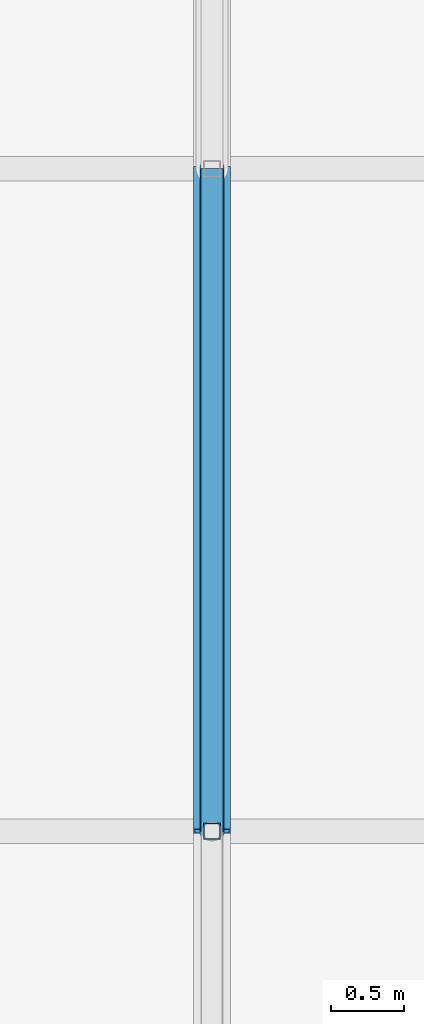
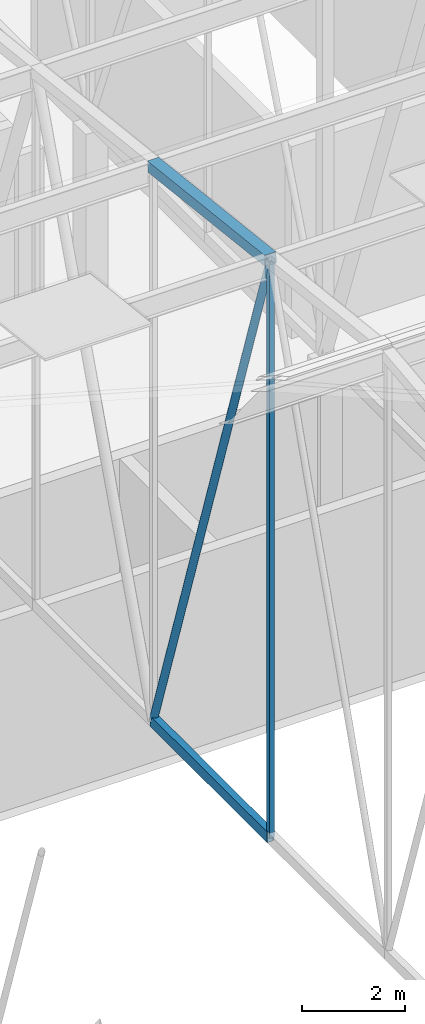
# One storey, part 279 of 500: 4 members.
"""IFC4 building model written with IfcOpenShell, lengths in metres."""

from ifc_helpers import new_model, si_unit, direction, frame, origin, origin_2d, place, context, subcontext, project, spatial, hollow_rectangle, hollow_circle, extrude, material, material_profile, profile_set, type_object, element, save


model = new_model("IFC4")

# Units and contexts
model_context = context("Model", 3, precision=1e-05, world=origin(), true_north=direction((0.0, 1.0)))
body_context = subcontext(model_context, "Body", "Model", "MODEL_VIEW")
ifc_project = project(units=[si_unit("LENGTHUNIT", "METRE"), si_unit("AREAUNIT", "SQUARE_METRE"), si_unit("VOLUMEUNIT", "CUBIC_METRE"), si_unit("PLANEANGLEUNIT", "RADIAN"), si_unit("MASSUNIT", "GRAM", prefix="KILO")], contexts=[model_context])

# Site, building, storey
site_placement = place(None, origin())
site = spatial("IfcSite", under=ifc_project, at=site_placement, CompositionType="ELEMENT")
building_placement = place(site_placement, origin())
building = spatial("IfcBuilding", under=site, at=building_placement, Name="Shirokan Park Arena", CompositionType="ELEMENT")
storey_placement = place(building_placement, frame((0.0, 0.0, 29.1201171875)))
storey = spatial("IfcBuildingStorey", under=building, at=storey_placement, Name="L06", CompositionType="ELEMENT", Elevation=29.1201171875)

# Members
ifc_material = material(Name="Steel ASTM A500 Grade C", Category="steel")
ifc_material_profile_1 = material_profile(ifc_material, hollow_rectangle(XDim=0.152099609375, YDim=0.25390625, WallThickness=0.009521484375, at=origin_2d()), Name="HSS254X152.4X9.5")
ifc_profile_set_1 = profile_set([ifc_material_profile_1], Name="Steel ASTM A500 Grade C")
member_type_1 = type_object("IfcMemberType", Name="Bottom chord HSS254X152.4X9.5", PredefinedType="CHORD", material=ifc_profile_set_1)
member_1_placement = place(storey_placement, frame((118.300048828125, 59.14990234375, 4.677001953125), z_axis=(0.0, 1.0, 0.0), x_axis=(-1.0, 0.0, 0.0)))
element("IfcMember", 1, at=member_1_placement, inside=storey, type_object=member_type_1, Name="Truss T14 bottom chord 16", PredefinedType="CHORD", context=body_context, shape_type="SweptSolid", body=[
    extrude(hollow_rectangle(XDim=0.152099609375, YDim=0.25390625, WallThickness=0.009521484375, at=origin_2d()), origin(), (0.0, 0.0, 1.0), 4.550048828125),
])
ifc_material_profile_2 = material_profile(ifc_material, hollow_rectangle(XDim=0.25390625, YDim=0.25390625, WallThickness=0.009521484375, at=origin_2d()), Name="HSS254X254X9.5")
ifc_profile_set_2 = profile_set([ifc_material_profile_2], Name="Steel ASTM A500 Grade C")
member_type_2 = type_object("IfcMemberType", Name="Top chord HSS254X254X9.5", PredefinedType="CHORD", material=ifc_profile_set_2)
member_2_placement = place(storey_placement, frame((118.300048828125, 59.14990234375, 18.3427734375), z_axis=(0.0, 0.993538341779, -0.113496975353), x_axis=(-1.0, 0.0, 0.0)))
element("IfcMember", 2, at=member_2_placement, inside=storey, type_object=member_type_2, Name="Truss T14 top chord 16", PredefinedType="CHORD", context=body_context, shape_type="SweptSolid", body=[
    extrude(hollow_rectangle(XDim=0.25390625, YDim=0.25390625, WallThickness=0.009521484375, at=origin_2d()), origin(), (0.0, 0.0, 1.0), 4.57958984375),
])
ifc_material_profile_3 = material_profile(ifc_material, hollow_circle(Radius=0.083984375, WallThickness=0.009521484375, at=origin_2d()), Name="HSS168.3X9.5")
ifc_profile_set_3 = profile_set([ifc_material_profile_3], Name="Steel ASTM A500 Grade C")
member_type_3 = type_object("IfcMemberType", Name="Truss diagonal HSS168.3X9.5", PredefinedType="BRACE", material=ifc_profile_set_3)
member_3_placement = place(storey_placement, frame((118.300048828125, 59.14990234375, 18.3427734375), z_axis=(0.0, 0.315902302102, -0.948791723998), x_axis=(-1.0, 0.0, 0.0)))
element("IfcMember", 3, at=member_3_placement, inside=storey, type_object=member_type_3, Name="Truss T14 diagonal 16", PredefinedType="BRACE", context=body_context, shape_type="SweptSolid", body=[
    extrude(hollow_circle(Radius=0.083984375, WallThickness=0.009521484375, at=origin_2d()), origin(), (0.0, 0.0, 1.0), 14.4033203125),
])
ifc_material_profile_4 = material_profile(ifc_material, hollow_rectangle(XDim=0.114013671875, YDim=0.114013671875, WallThickness=0.00634765625, at=origin_2d()), Name="HSS114.3X114.3X6.4")
ifc_profile_set_4 = profile_set([ifc_material_profile_4], Name="Steel ASTM A500 Grade C")
member_type_4 = type_object("IfcMemberType", Name="Truss post HSS114.3X114.3X6.4", PredefinedType="POST", material=ifc_profile_set_4)
member_4_placement = place(storey_placement, frame((118.300048828125, 59.14990234375, 4.677001953125), z_axis=(0.0, 0.0, 1.0), x_axis=(1.0, 0.0, 0.0)))
element("IfcMember", 4, at=member_4_placement, inside=storey, type_object=member_type_4, Name="Truss T14 post 16", PredefinedType="POST", context=body_context, shape_type="SweptSolid", body=[
    extrude(hollow_rectangle(XDim=0.114013671875, YDim=0.114013671875, WallThickness=0.00634765625, at=origin_2d()), origin(), (0.0, 0.0, 1.0), 13.665771484375),
])

save(model, "model.ifc")
